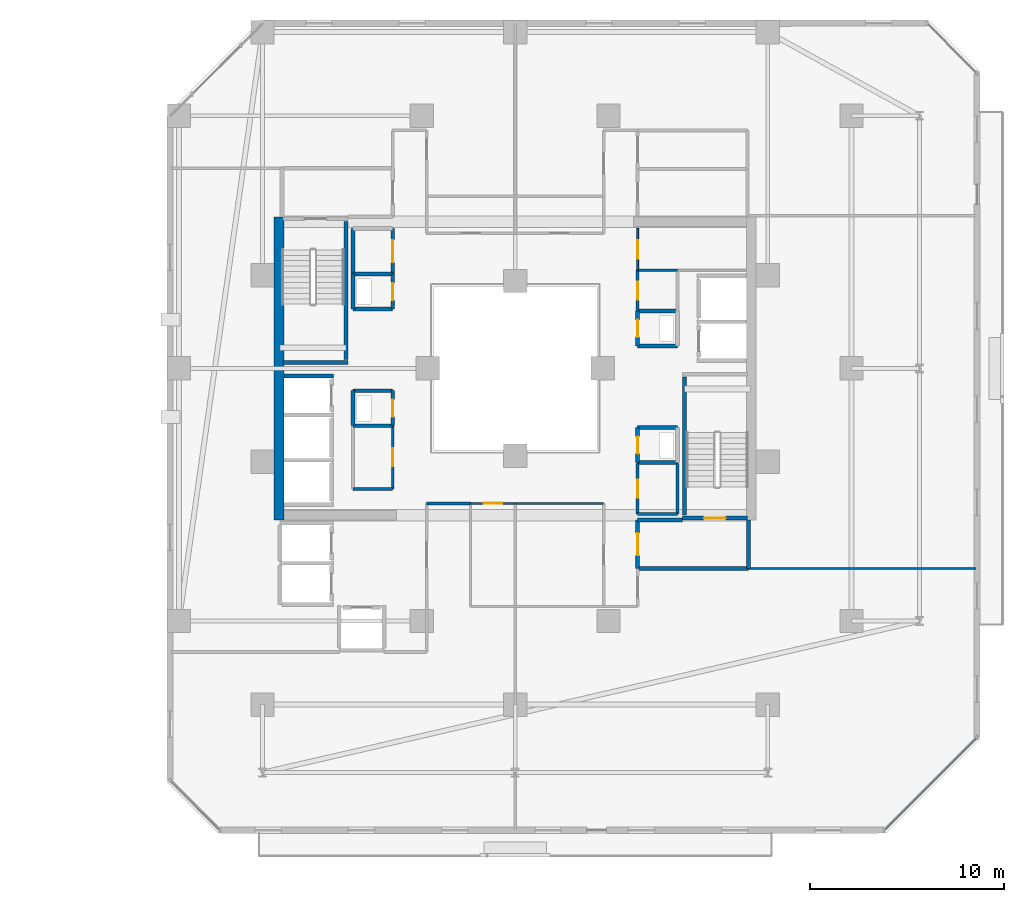
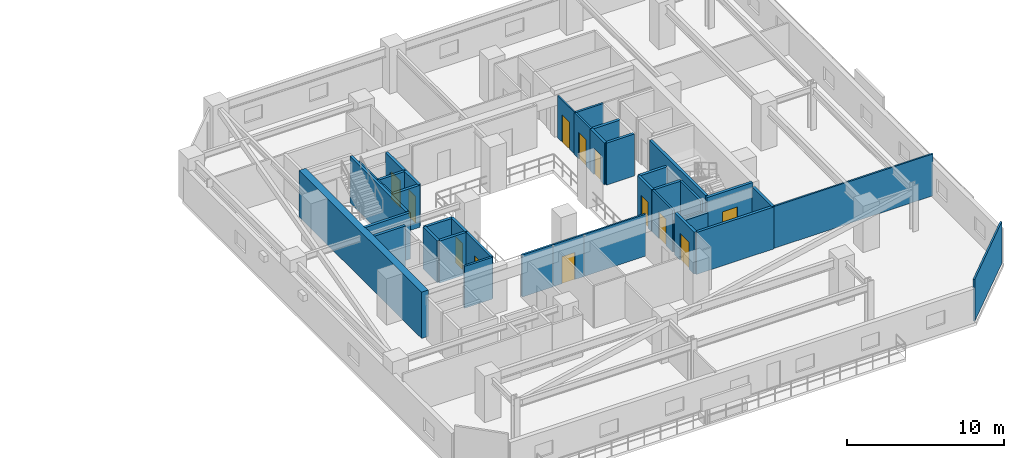
# One storey, part 23 of 34: 39 walls, 12 doors, 12 openings.
"""IFC4 building model written with IfcOpenShell, lengths in metres."""

from ifc_helpers import new_model, si_unit, direction, frame, frame_2d, origin, place, context, subcontext, project, spatial, rectangle, extrude, material, layer, layer_set, type_object, element, fill, save


model = new_model("IFC4")

# Units and contexts
model_context = context("Model", 3, precision=1e-05, world=origin(), true_north=direction((0.0, 1.0)))
body_context = subcontext(model_context, "Body", "Model", "MODEL_VIEW")
ifc_project = project(units=[si_unit("LENGTHUNIT", "METRE"), si_unit("AREAUNIT", "SQUARE_METRE"), si_unit("VOLUMEUNIT", "CUBIC_METRE"), si_unit("PLANEANGLEUNIT", "RADIAN"), si_unit("MASSUNIT", "GRAM", prefix="KILO")], contexts=[model_context])

# Site, building, storey
site_placement = place(None, origin())
site = spatial("IfcSite", under=ifc_project, at=site_placement, CompositionType="ELEMENT")
building_placement = place(site_placement, origin())
building = spatial("IfcBuilding", under=site, at=building_placement, Name="Thornwick Lancets Civic Towers", CompositionType="ELEMENT")
storey_placement = place(building_placement, frame((0.0, 0.0, 137.699951171875)))
storey = spatial("IfcBuildingStorey", under=building, at=storey_placement, Name="L36", CompositionType="ELEMENT", Elevation=137.699951171875)

# Walls
ifc_material_1 = material(Name="Concrete blockwork C40/50", Category="masonry")
ifc_layer_1 = layer(ifc_material_1, 0.199951171875, Name="Concrete blockwork C40/50")
ifc_layer_set_1 = layer_set([ifc_layer_1], Name="Concrete blockwork C40/50")
wall_type_1 = type_object("IfcWallType", Name="WALL_COMP_200", PredefinedType="STANDARD", material=ifc_layer_set_1)
wall_1_placement = place(storey_placement, frame((76.612060546875, 26.60009765625, 0.0), z_axis=(0.0, 0.0, 1.0), x_axis=(1.0, 0.0, 0.0)))
element("IfcWall", 1, at=wall_1_placement, inside=storey, type_object=wall_type_1, Name="L36 Hoistway Shaft Wall FL-B2 N", PredefinedType="STANDARD", context=body_context, shape_type="SweptSolid", body=[
    extrude(rectangle(XDim=2.535888671875, YDim=0.199951171875, at=frame_2d((1.26806640625, 0.0))), origin(), (0.0, 0.0, 1.0), 3.260009765625),
])
wall_2_placement = place(storey_placement, frame((94.800048828125, 16.699951171875, 0.0), z_axis=(0.0, 0.0, 1.0), x_axis=(1.0, 0.0, 0.0)))
element("IfcWall", 2, at=wall_2_placement, inside=storey, type_object=wall_type_1, Name="L36 Partition L36-B-FFLOB1 E1", PredefinedType="STANDARD", context=body_context, shape_type="SweptSolid", body=[
    extrude(rectangle(XDim=5.699951171875, YDim=0.199951171875, at=frame_2d((2.85009765625, 0.0))), origin(), (0.0, 0.0, 1.0), 3.260009765625),
])
wall_3_placement = place(storey_placement, frame((100.5, 16.699951171875, 0.0), z_axis=(0.0, 0.0, 1.0), x_axis=(0.0, 1.0, 0.0)))
element("IfcWall", 3, at=wall_3_placement, inside=storey, type_object=wall_type_1, Name="L36 Partition L36-B-FFLOB1 E2", PredefinedType="STANDARD", context=body_context, shape_type="SweptSolid", body=[
    extrude(rectangle(XDim=2.5, YDim=0.199951171875, at=frame_2d((1.25, 0.0))), origin(), (0.0, 0.0, 1.0), 3.260009765625),
])
wall_4_placement = place(storey_placement, frame((97.10009765625, 19.199951171875, 0.0), z_axis=(0.0, 0.0, 1.0), x_axis=(-1.0, 0.0, 0.0)))
element("IfcWall", 4, at=wall_4_placement, inside=storey, type_object=wall_type_1, Name="L36 Partition L36-B-FFLOB1 E3", PredefinedType="STANDARD", context=body_context, shape_type="SweptSolid", body=[
    extrude(rectangle(XDim=2.300048828125, YDim=0.199951171875, at=frame_2d((1.14990234375, 0.0))), origin(), (0.0, 0.0, 1.0), 2.465087890625),
])

# Wall, opening, door
wall_5_placement = place(storey_placement, frame((94.800048828125, 19.199951171875, 0.0), z_axis=(0.0, 0.0, 1.0), x_axis=(0.0, -1.0, 0.0)))
wall_5 = element("IfcWall", 5, at=wall_5_placement, inside=storey, type_object=wall_type_1, Name="L36 Partition L36-B-FFLOB1 E4", PredefinedType="STANDARD", context=body_context, shape_type="SweptSolid", body=[
    extrude(rectangle(XDim=2.5, YDim=0.199951171875, at=frame_2d((1.25, 0.0))), origin(), (0.0, 0.0, 1.0), 3.260009765625),
])
opening_1_placement = place(wall_5_placement, frame((0.675048828125, 0.0, 0.0)))
opening_1 = element("IfcOpeningElement", 6, at=opening_1_placement, cuts=wall_5, Name="Opening D-L36-1632", PredefinedType="OPENING", context=body_context, shape_type="SweptSolid", body=[
    extrude(rectangle(XDim=1.14990234375, YDim=2.10009765625, at=frame_2d((0.574951171875, 1.050048828125))), frame((0.0, 0.10986328125, 0.0), z_axis=(0.0, -1.0, 0.0), x_axis=(1.0, 0.0, 0.0)), (0.0, 0.0, 1.0), 0.219970703125),
])
ifc_material_2 = material(Name="Glazed fire-resisting steel", Category="steel")
door_type_1 = type_object("IfcDoorType", Name="DOOR_LOBBY_FD60", OperationType="NOTDEFINED", PredefinedType="DOOR", material=ifc_material_2)
door_1_placement = place(opening_1_placement, origin())
door_1 = element("IfcDoor", 7, at=door_1_placement, inside=storey, type_object=door_type_1, Name="L36 East Firefighting Lobby 1 Door", OperationType="SINGLE_SWING_LEFT", OverallHeight=2.10009765625, OverallWidth=1.14990234375, PredefinedType="DOOR", context=body_context, shape_type="SweptSolid", body=[
    extrude(rectangle(XDim=1.14990234375, YDim=2.10009765625, at=frame_2d((0.574951171875, 1.050048828125))), frame((0.0, 0.02490234375, 0.0), z_axis=(0.0, -1.0, 0.0), x_axis=(1.0, 0.0, 0.0)), (0.0, 0.0, 1.0), 0.050048828125),
])
fill(opening_1, door_1)

# Walls
for number, where, z_axis, x_axis, name in (
    (8, (94.800048828125, 28.14990234375, 0.0), (0.0, 0.0, 1.0), (1.0, 0.0, 0.0), "L36 Partition L36-B-DUCT1 E1"),
    (9, (96.85009765625, 29.949951171875, 0.0), (0.0, 0.0, 1.0), (-1.0, 0.0, 0.0), "L36 Partition L36-B-DUCT1 E3"),
):
    element("IfcWall", number, at=place(storey_placement, frame(where, z_axis=z_axis, x_axis=x_axis)), inside=storey, type_object=wall_type_1, Name=name, PredefinedType="STANDARD", context=body_context, shape_type="SweptSolid", body=[
        extrude(rectangle(XDim=2.050048828125, YDim=0.199951171875, at=frame_2d((1.02490234375, 0.0))), origin(), (0.0, 0.0, 1.0), 3.260009765625),
    ])

# Wall, opening, door
wall_6_placement = place(storey_placement, frame((94.800048828125, 29.949951171875, 0.0), z_axis=(0.0, 0.0, 1.0), x_axis=(0.0, -1.0, 0.0)))
wall_6 = element("IfcWall", 10, at=wall_6_placement, inside=storey, type_object=wall_type_1, Name="L36 Partition L36-B-DUCT1 E4", PredefinedType="STANDARD", context=body_context, shape_type="SweptSolid", body=[
    extrude(rectangle(XDim=1.800048828125, YDim=0.199951171875, at=frame_2d((0.89990234375, 0.0))), origin(), (0.0, 0.0, 1.0), 3.260009765625),
])
opening_2_placement = place(wall_6_placement, frame((0.4599609375, 0.0, 0.0)))
opening_2 = element("IfcOpeningElement", 11, at=opening_2_placement, cuts=wall_6, Name="Opening D-L36-1634", PredefinedType="OPENING", context=body_context, shape_type="SweptSolid", body=[
    extrude(rectangle(XDim=0.8798828125, YDim=2.0400390625, at=frame_2d((0.43994140625, 1.02001953125))), frame((0.0, 0.10986328125, 0.0), z_axis=(0.0, -1.0, 0.0), x_axis=(1.0, 0.0, 0.0)), (0.0, 0.0, 1.0), 0.219970703125),
])
ifc_material_3 = material(Name="Steel riser access doorset", Category="steel")
door_type_2 = type_object("IfcDoorType", Name="DOOR_RISER_850", OperationType="NOTDEFINED", PredefinedType="DOOR", material=ifc_material_3)
door_2_placement = place(opening_2_placement, origin())
door_2 = element("IfcDoor", 12, at=door_2_placement, inside=storey, type_object=door_type_2, Name="L36 East Service Duct 1 Door", OperationType="SINGLE_SWING_LEFT", OverallHeight=2.0400390625, OverallWidth=0.8798828125, PredefinedType="DOOR", context=body_context, shape_type="SweptSolid", body=[
    extrude(rectangle(XDim=0.8798828125, YDim=2.0400390625, at=frame_2d((0.43994140625, 1.02001953125))), frame((0.0, 0.02490234375, 0.0), z_axis=(0.0, -1.0, 0.0), x_axis=(1.0, 0.0, 0.0)), (0.0, 0.0, 1.0), 0.050048828125),
])
fill(opening_2, door_2)

# Walls
for number, where, z_axis, x_axis, name in (
    (13, (94.800048828125, 22.14990234375, 0.0), (0.0, 0.0, 1.0), (1.0, 0.0, 0.0), "L36 Partition L36-B-RISER1 E1"),
    (14, (96.85009765625, 23.949951171875, 0.0), (0.0, 0.0, 1.0), (-1.0, 0.0, 0.0), "L36 Partition L36-B-RISER1 E3"),
):
    element("IfcWall", number, at=place(storey_placement, frame(where, z_axis=z_axis, x_axis=x_axis)), inside=storey, type_object=wall_type_1, Name=name, PredefinedType="STANDARD", context=body_context, shape_type="SweptSolid", body=[
        extrude(rectangle(XDim=2.050048828125, YDim=0.199951171875, at=frame_2d((1.02490234375, 0.0))), origin(), (0.0, 0.0, 1.0), 3.260009765625),
    ])

# Wall, opening, door
wall_7_placement = place(storey_placement, frame((94.800048828125, 23.949951171875, 0.0), z_axis=(0.0, 0.0, 1.0), x_axis=(0.0, -1.0, 0.0)))
wall_7 = element("IfcWall", 15, at=wall_7_placement, inside=storey, type_object=wall_type_1, Name="L36 Partition L36-B-RISER1 E4", PredefinedType="STANDARD", context=body_context, shape_type="SweptSolid", body=[
    extrude(rectangle(XDim=1.800048828125, YDim=0.199951171875, at=frame_2d((0.89990234375, 0.0))), origin(), (0.0, 0.0, 1.0), 3.260009765625),
])
opening_3_placement = place(wall_7_placement, frame((0.4599609375, 0.0, 0.0)))
opening_3 = element("IfcOpeningElement", 16, at=opening_3_placement, cuts=wall_7, Name="Opening D-L36-1635", PredefinedType="OPENING", context=body_context, shape_type="SweptSolid", body=[
    extrude(rectangle(XDim=0.8798828125, YDim=2.0400390625, at=frame_2d((0.43994140625, 1.02001953125))), frame((0.0, 0.10986328125, 0.0), z_axis=(0.0, -1.0, 0.0), x_axis=(1.0, 0.0, 0.0)), (0.0, 0.0, 1.0), 0.219970703125),
])
door_3_placement = place(opening_3_placement, origin())
door_3 = element("IfcDoor", 17, at=door_3_placement, inside=storey, type_object=door_type_2, Name="L36 East Electrical Riser 1 Door", OperationType="SINGLE_SWING_RIGHT", OverallHeight=2.0400390625, OverallWidth=0.8798828125, PredefinedType="DOOR", context=body_context, shape_type="SweptSolid", body=[
    extrude(rectangle(XDim=0.8798828125, YDim=2.0400390625, at=frame_2d((0.43994140625, 1.02001953125))), frame((0.0, 0.02490234375, 0.0), z_axis=(0.0, -1.0, 0.0), x_axis=(1.0, 0.0, 0.0)), (0.0, 0.0, 1.0), 0.050048828125),
])
fill(opening_3, door_3)

# Wall
wall_8_placement = place(storey_placement, frame((80.14990234375, 24.050048828125, 0.0), z_axis=(0.0, 0.0, 1.0), x_axis=(1.0, 0.0, 0.0)))
element("IfcWall", 18, at=wall_8_placement, inside=storey, type_object=wall_type_1, Name="L36 Partition L36-B-DUCT2 E1", PredefinedType="STANDARD", context=body_context, shape_type="SweptSolid", body=[
    extrude(rectangle(XDim=2.050048828125, YDim=0.199951171875, at=frame_2d((1.02490234375, 0.0))), origin(), (0.0, 0.0, 1.0), 3.260009765625),
])

# Wall, opening, door
wall_9_placement = place(storey_placement, frame((82.199951171875, 24.050048828125, 0.0), z_axis=(0.0, 0.0, 1.0), x_axis=(0.0, 1.0, 0.0)))
wall_9 = element("IfcWall", 19, at=wall_9_placement, inside=storey, type_object=wall_type_1, Name="L36 Partition L36-B-DUCT2 E2", PredefinedType="STANDARD", context=body_context, shape_type="SweptSolid", body=[
    extrude(rectangle(XDim=1.800048828125, YDim=0.199951171875, at=frame_2d((0.89990234375, 0.0))), origin(), (0.0, 0.0, 1.0), 3.260009765625),
])
opening_4_placement = place(wall_9_placement, frame((0.4599609375, 0.0, 0.0)))
opening_4 = element("IfcOpeningElement", 20, at=opening_4_placement, cuts=wall_9, Name="Opening D-L36-1636", PredefinedType="OPENING", context=body_context, shape_type="SweptSolid", body=[
    extrude(rectangle(XDim=0.8798828125, YDim=2.0400390625, at=frame_2d((0.43994140625, 1.02001953125))), frame((0.0, 0.10986328125, 0.0), z_axis=(0.0, -1.0, 0.0), x_axis=(1.0, 0.0, 0.0)), (0.0, 0.0, 1.0), 0.219970703125),
])
door_4_placement = place(opening_4_placement, origin())
door_4 = element("IfcDoor", 21, at=door_4_placement, inside=storey, type_object=door_type_2, Name="L36 West Service Duct 2 Door", OperationType="SINGLE_SWING_LEFT", OverallHeight=2.0400390625, OverallWidth=0.8798828125, PredefinedType="DOOR", context=body_context, shape_type="SweptSolid", body=[
    extrude(rectangle(XDim=0.8798828125, YDim=2.0400390625, at=frame_2d((0.43994140625, 1.02001953125))), frame((0.0, 0.02490234375, 0.0), z_axis=(0.0, -1.0, 0.0), x_axis=(1.0, 0.0, 0.0)), (0.0, 0.0, 1.0), 0.050048828125),
])
fill(opening_4, door_4)

# Walls
wall_10_placement = place(storey_placement, frame((82.199951171875, 25.85009765625, 0.0), z_axis=(0.0, 0.0, 1.0), x_axis=(-1.0, 0.0, 0.0)))
element("IfcWall", 22, at=wall_10_placement, inside=storey, type_object=wall_type_1, Name="L36 Partition L36-B-DUCT2 E3", PredefinedType="STANDARD", context=body_context, shape_type="SweptSolid", body=[
    extrude(rectangle(XDim=2.050048828125, YDim=0.199951171875, at=frame_2d((1.02490234375, 0.0))), origin(), (0.0, 0.0, 1.0), 3.260009765625),
])
wall_11_placement = place(storey_placement, frame((80.14990234375, 25.85009765625, 0.0), z_axis=(0.0, 0.0, 1.0), x_axis=(0.0, -1.0, 0.0)))
element("IfcWall", 23, at=wall_11_placement, inside=storey, type_object=wall_type_1, Name="L36 Partition L36-B-DUCT2 E4", PredefinedType="STANDARD", context=body_context, shape_type="SweptSolid", body=[
    extrude(rectangle(XDim=1.800048828125, YDim=0.199951171875, at=frame_2d((0.89990234375, 0.0))), origin(), (0.0, 0.0, 1.0), 3.260009765625),
])
wall_12_placement = place(storey_placement, frame((80.14990234375, 30.050048828125, 0.0), z_axis=(0.0, 0.0, 1.0), x_axis=(1.0, 0.0, 0.0)))
element("IfcWall", 24, at=wall_12_placement, inside=storey, type_object=wall_type_1, Name="L36 Partition L36-B-RISER2 E1", PredefinedType="STANDARD", context=body_context, shape_type="SweptSolid", body=[
    extrude(rectangle(XDim=2.050048828125, YDim=0.199951171875, at=frame_2d((1.02490234375, 0.0))), origin(), (0.0, 0.0, 1.0), 3.260009765625),
])

# Wall, opening, door
wall_13_placement = place(storey_placement, frame((82.199951171875, 30.050048828125, 0.0), z_axis=(0.0, 0.0, 1.0), x_axis=(0.0, 1.0, 0.0)))
wall_13 = element("IfcWall", 25, at=wall_13_placement, inside=storey, type_object=wall_type_1, Name="L36 Partition L36-B-RISER2 E2", PredefinedType="STANDARD", context=body_context, shape_type="SweptSolid", body=[
    extrude(rectangle(XDim=1.800048828125, YDim=0.199951171875, at=frame_2d((0.89990234375, 0.0))), origin(), (0.0, 0.0, 1.0), 3.260009765625),
])
opening_5_placement = place(wall_13_placement, frame((0.4599609375, 0.0, 0.0)))
opening_5 = element("IfcOpeningElement", 26, at=opening_5_placement, cuts=wall_13, Name="Opening D-L36-1637", PredefinedType="OPENING", context=body_context, shape_type="SweptSolid", body=[
    extrude(rectangle(XDim=0.8798828125, YDim=2.0400390625, at=frame_2d((0.43994140625, 1.02001953125))), frame((0.0, 0.10986328125, 0.0), z_axis=(0.0, -1.0, 0.0), x_axis=(1.0, 0.0, 0.0)), (0.0, 0.0, 1.0), 0.219970703125),
])
door_5_placement = place(opening_5_placement, origin())
door_5 = element("IfcDoor", 27, at=door_5_placement, inside=storey, type_object=door_type_2, Name="L36 West Service Riser 2 Door", OperationType="SINGLE_SWING_RIGHT", OverallHeight=2.0400390625, OverallWidth=0.8798828125, PredefinedType="DOOR", context=body_context, shape_type="SweptSolid", body=[
    extrude(rectangle(XDim=0.8798828125, YDim=2.0400390625, at=frame_2d((0.43994140625, 1.02001953125))), frame((0.0, 0.02490234375, 0.0), z_axis=(0.0, -1.0, 0.0), x_axis=(1.0, 0.0, 0.0)), (0.0, 0.0, 1.0), 0.050048828125),
])
fill(opening_5, door_5)

# Walls
wall_14_placement = place(storey_placement, frame((82.199951171875, 31.85009765625, 0.0), z_axis=(0.0, 0.0, 1.0), x_axis=(-1.0, 0.0, 0.0)))
element("IfcWall", 28, at=wall_14_placement, inside=storey, type_object=wall_type_1, Name="L36 Partition L36-B-RISER2 E3", PredefinedType="STANDARD", context=body_context, shape_type="SweptSolid", body=[
    extrude(rectangle(XDim=2.050048828125, YDim=0.199951171875, at=frame_2d((1.02490234375, 0.0))), origin(), (0.0, 0.0, 1.0), 3.260009765625),
])
wall_15_placement = place(storey_placement, frame((80.14990234375, 31.85009765625, 0.0), z_axis=(0.0, 0.0, 1.0), x_axis=(0.0, -1.0, 0.0)))
element("IfcWall", 29, at=wall_15_placement, inside=storey, type_object=wall_type_1, Name="L36 Partition L36-B-RISER2 E4", PredefinedType="STANDARD", context=body_context, shape_type="SweptSolid", body=[
    extrude(rectangle(XDim=1.800048828125, YDim=0.199951171875, at=frame_2d((0.89990234375, 0.0))), origin(), (0.0, 0.0, 1.0), 3.260009765625),
])
wall_16_placement = place(storey_placement, frame((80.14990234375, 31.85009765625, 0.0), z_axis=(0.0, 0.0, 1.0), x_axis=(0.0, 1.0, 0.0)))
element("IfcWall", 30, at=wall_16_placement, inside=storey, type_object=wall_type_1, Name="L36 Partition L36-B-STR E1", PredefinedType="STANDARD", context=body_context, shape_type="SweptSolid", body=[
    extrude(rectangle(XDim=2.349853515625, YDim=0.199951171875, at=frame_2d((1.1748046875, 0.0))), origin(), (0.0, 0.0, 1.0), 3.260009765625),
])

# Wall, opening, door
wall_17_placement = place(storey_placement, frame((82.199951171875, 34.199951171875, 0.0), z_axis=(0.0, 0.0, 1.0), x_axis=(0.0, -1.0, 0.0)))
wall_17 = element("IfcWall", 31, at=wall_17_placement, inside=storey, type_object=wall_type_1, Name="L36 Partition L36-B-STR E3", PredefinedType="STANDARD", context=body_context, shape_type="SweptSolid", body=[
    extrude(rectangle(XDim=2.349853515625, YDim=0.199951171875, at=frame_2d((1.1748046875, 0.0))), origin(), (0.0, 0.0, 1.0), 3.260009765625),
])
opening_6_placement = place(wall_17_placement, frame((0.60009765625, 0.0, 0.0)))
opening_6 = element("IfcOpeningElement", 32, at=opening_6_placement, cuts=wall_17, Name="Opening D-L36-1642", PredefinedType="OPENING", context=body_context, shape_type="SweptSolid", body=[
    extrude(rectangle(XDim=1.14990234375, YDim=2.10009765625, at=frame_2d((0.574951171875, 1.050048828125))), frame((0.0, 0.10986328125, 0.0), z_axis=(0.0, -1.0, 0.0), x_axis=(1.0, 0.0, 0.0)), (0.0, 0.0, 1.0), 0.219970703125),
])
door_6_placement = place(opening_6_placement, origin())
door_6 = element("IfcDoor", 33, at=door_6_placement, inside=storey, type_object=door_type_1, Name="L36 Tower B Core Equipment Store Door", OperationType="SINGLE_SWING_LEFT", OverallHeight=2.10009765625, OverallWidth=1.14990234375, PredefinedType="DOOR", context=body_context, shape_type="SweptSolid", body=[
    extrude(rectangle(XDim=1.14990234375, YDim=2.10009765625, at=frame_2d((0.574951171875, 1.050048828125))), frame((0.0, 0.02490234375, 0.0), z_axis=(0.0, -1.0, 0.0), x_axis=(1.0, 0.0, 0.0)), (0.0, 0.0, 1.0), 0.050048828125),
])
fill(opening_6, door_6)

# Wall
ifc_material_4 = material(Name="Concrete C50/60", Category="concrete")
ifc_layer_2 = layer(ifc_material_4, 0.5, Name="Concrete C50/60")
ifc_layer_set_2 = layer_set([ifc_layer_2], Name="Concrete C50/60")
wall_type_2 = type_object("IfcWallType", Name="WALL_CORE_500", PredefinedType="SHEAR", material=ifc_layer_set_2)
wall_18_placement = place(storey_placement, frame((76.35009765625, 19.199951171875, 0.0), z_axis=(0.0, 0.0, 1.0), x_axis=(0.0, 1.0, 0.0)))
element("IfcWall", 34, at=wall_18_placement, inside=storey, type_object=wall_type_2, Name="L36 Split Core B2 Shear Wall W", PredefinedType="SHEAR", context=body_context, shape_type="SweptSolid", body=[
    extrude(rectangle(XDim=15.60009765625, YDim=0.5, at=frame_2d((7.800048828125, 0.0))), origin(), (0.0, 0.0, 1.0), 3.60009765625),
])

# Wall, opening, door
ifc_material_5 = material(Name="Lightweight cellular office partition")
ifc_layer_3 = layer(ifc_material_5, 0.10009765625, Name="Lightweight cellular office partition")
ifc_layer_set_3 = layer_set([ifc_layer_3], Name="Lightweight cellular office partition")
wall_type_3 = type_object("IfcWallType", Name="WALL_PART_100", PredefinedType="PARTITIONING", material=ifc_layer_set_3)
wall_19_placement = place(storey_placement, frame((94.800048828125, 32.050048828125, 0.0), z_axis=(0.0, 0.0, 1.0), x_axis=(0.0, 1.0, 0.0)))
wall_19 = element("IfcWall", 35, at=wall_19_placement, inside=storey, type_object=wall_type_3, Name="L36 Partition L36-B-CLN E1", PredefinedType="PARTITIONING", context=body_context, shape_type="SweptSolid", body=[
    extrude(rectangle(XDim=2.14990234375, YDim=0.10009765625, at=frame_2d((1.074951171875, 0.0))), origin(), (0.0, 0.0, 1.0), 3.260009765625),
])
opening_7_placement = place(wall_19_placement, frame((0.60009765625, 0.0, 0.0)))
opening_7 = element("IfcOpeningElement", 36, at=opening_7_placement, cuts=wall_19, Name="Opening D-L36-1640", PredefinedType="OPENING", context=body_context, shape_type="SweptSolid", body=[
    extrude(rectangle(XDim=0.949951171875, YDim=2.10009765625, at=frame_2d((0.47509765625, 1.050048828125))), frame((0.0, 0.06005859375, 0.0), z_axis=(0.0, -1.0, 0.0), x_axis=(1.0, 0.0, 0.0)), (0.0, 0.0, 1.0), 0.1201171875),
])
ifc_material_6 = material(Name="European oak acoustic doorset")
door_type_3 = type_object("IfcDoorType", Name="DOOR_OFFICE_950", OperationType="NOTDEFINED", PredefinedType="DOOR", material=ifc_material_6)
door_7_placement = place(opening_7_placement, origin())
door_7 = element("IfcDoor", 37, at=door_7_placement, inside=storey, type_object=door_type_3, Name="L36 Tower B Cleaners Store Door", OperationType="SINGLE_SWING_LEFT", OverallHeight=2.10009765625, OverallWidth=0.949951171875, PredefinedType="DOOR", context=body_context, shape_type="SweptSolid", body=[
    extrude(rectangle(XDim=0.949951171875, YDim=2.10009765625, at=frame_2d((0.47509765625, 1.050048828125))), frame((0.0, 0.02490234375, 0.0), z_axis=(0.0, -1.0, 0.0), x_axis=(1.0, 0.0, 0.0)), (0.0, 0.0, 1.0), 0.050048828125),
])
fill(opening_7, door_7)

# Walls
ifc_material_7 = material(Name="Acoustic gypsum board partition")
ifc_layer_4 = layer(ifc_material_7, 0.1201171875, Name="Acoustic gypsum board partition")
ifc_layer_set_4 = layer_set([ifc_layer_4], Name="Acoustic gypsum board partition")
wall_type_4 = type_object("IfcWallType", Name="WALL_PART_120", PredefinedType="PARTITIONING", material=ifc_layer_set_4)
wall_20_placement = place(storey_placement, frame((100.5, 16.699951171875, 0.0), z_axis=(0.0, 0.0, 1.0), x_axis=(1.0, 0.0, 0.0)))
element("IfcWall", 38, at=wall_20_placement, inside=storey, type_object=wall_type_4, Name="L36 Partition L36-B-W1 E7", PredefinedType="PARTITIONING", context=body_context, shape_type="SweptSolid", body=[
    extrude(rectangle(XDim=11.719970703125, YDim=0.1201171875, at=frame_2d((5.85986328125, 0.0))), origin(), (0.0, 0.0, 1.0), 3.260009765625),
])
wall_21_placement = place(storey_placement, frame((112.219970703125, 7.989501953125, 0.0), z_axis=(0.0, 0.0, 1.0), x_axis=(-0.707106781187, -0.707106781187, 0.0)))
element("IfcWall", 39, at=wall_21_placement, inside=storey, type_object=wall_type_4, Name="L36 Partition L36-B-W1 E9", PredefinedType="PARTITIONING", context=body_context, shape_type="SweptSolid", body=[
    extrude(rectangle(XDim=6.66015625, YDim=0.1201171875, at=frame_2d((3.330078125, 0.0))), origin(), (0.0, 0.0, 1.0), 3.260009765625),
])
wall_22_placement = place(storey_placement, frame((88.5, 20.050048828125, 0.0), z_axis=(0.0, 0.0, 1.0), x_axis=(1.0, 0.0, 0.0)))
element("IfcWall", 40, at=wall_22_placement, inside=storey, type_object=wall_type_4, Name="L36 Partition L36-B-W2 E2", PredefinedType="PARTITIONING", context=body_context, shape_type="SweptSolid", body=[
    extrude(rectangle(XDim=4.550048828125, YDim=0.1201171875, at=frame_2d((2.27490234375, 0.0))), origin(), (0.0, 0.0, 1.0), 3.260009765625),
])

# Wall, opening, door
wall_23_placement = place(storey_placement, frame((86.199951171875, 20.050048828125, 0.0), z_axis=(0.0, 0.0, 1.0), x_axis=(1.0, 0.0, 0.0)))
wall_23 = element("IfcWall", 41, at=wall_23_placement, inside=storey, type_object=wall_type_4, Name="L36 Partition L36-B-W3 E2", PredefinedType="PARTITIONING", context=body_context, shape_type="SweptSolid", body=[
    extrude(rectangle(XDim=2.300048828125, YDim=0.1201171875, at=frame_2d((1.14990234375, 0.0))), origin(), (0.0, 0.0, 1.0), 3.260009765625),
])
opening_8_placement = place(wall_23_placement, frame((0.675048828125, 0.0, 0.0)))
opening_8 = element("IfcOpeningElement", 42, at=opening_8_placement, cuts=wall_23, Name="Opening D-L36-1657", PredefinedType="OPENING", context=body_context, shape_type="SweptSolid", body=[
    extrude(rectangle(XDim=0.949951171875, YDim=2.10009765625, at=frame_2d((0.47509765625, 1.050048828125))), frame((0.0, 0.070068359375, 0.0), z_axis=(0.0, -1.0, 0.0), x_axis=(1.0, 0.0, 0.0)), (0.0, 0.0, 1.0), 0.14013671875),
])
door_8_placement = place(opening_8_placement, origin())
door_8 = element("IfcDoor", 43, at=door_8_placement, inside=storey, type_object=door_type_3, Name="L36 Tower B Staff Tea Pantry and Lounge Door", OperationType="SINGLE_SWING_RIGHT", OverallHeight=2.10009765625, OverallWidth=0.949951171875, PredefinedType="DOOR", context=body_context, shape_type="SweptSolid", body=[
    extrude(rectangle(XDim=0.949951171875, YDim=2.10009765625, at=frame_2d((0.47509765625, 1.050048828125))), frame((0.0, 0.02490234375, 0.0), z_axis=(0.0, -1.0, 0.0), x_axis=(1.0, 0.0, 0.0)), (0.0, 0.0, 1.0), 0.050048828125),
])
fill(opening_8, door_8)

# Walls
ifc_material_8 = material(Name="Twin-stud acoustic gypsum board")
ifc_layer_5 = layer(ifc_material_8, 0.14990234375, Name="Twin-stud acoustic gypsum board")
ifc_layer_set_5 = layer_set([ifc_layer_5], Name="Twin-stud acoustic gypsum board")
wall_type_5 = type_object("IfcWallType", Name="WALL_PART_150", PredefinedType="PARTITIONING", material=ifc_layer_set_5)
wall_24_placement = place(storey_placement, frame((94.800048828125, 19.5, 0.0), z_axis=(0.0, 0.0, 1.0), x_axis=(1.0, 0.0, 0.0)))
element("IfcWall", 44, at=wall_24_placement, inside=storey, type_object=wall_type_5, Name="L36 Partition L36-B-AWC E1", PredefinedType="PARTITIONING", context=body_context, shape_type="SweptSolid", body=[
    extrude(rectangle(XDim=2.050048828125, YDim=0.14990234375, at=frame_2d((1.02490234375, 0.0))), origin(), (0.0, 0.0, 1.0), 2.465087890625),
])
wall_25_placement = place(storey_placement, frame((96.85009765625, 19.5, 0.0), z_axis=(0.0, 0.0, 1.0), x_axis=(0.0, 1.0, 0.0)))
element("IfcWall", 45, at=wall_25_placement, inside=storey, type_object=wall_type_5, Name="L36 Partition L36-B-AWC E2", PredefinedType="PARTITIONING", context=body_context, shape_type="SweptSolid", body=[
    extrude(rectangle(XDim=2.60009765625, YDim=0.14990234375, at=frame_2d((1.300048828125, 0.0))), origin(), (0.0, 0.0, 1.0), 3.260009765625),
])

# Wall, opening, door
wall_26_placement = place(storey_placement, frame((94.800048828125, 22.10009765625, 0.0), z_axis=(0.0, 0.0, 1.0), x_axis=(0.0, -1.0, 0.0)))
wall_26 = element("IfcWall", 46, at=wall_26_placement, inside=storey, type_object=wall_type_5, Name="L36 Partition L36-B-AWC E4", PredefinedType="PARTITIONING", context=body_context, shape_type="SweptSolid", body=[
    extrude(rectangle(XDim=2.60009765625, YDim=0.14990234375, at=frame_2d((1.300048828125, 0.0))), origin(), (0.0, 0.0, 1.0), 3.260009765625),
])
opening_9_placement = place(wall_26_placement, frame((0.840087890625, 0.0, 0.0)))
opening_9 = element("IfcOpeningElement", 47, at=opening_9_placement, cuts=wall_26, Name="Opening D-L36-1638", PredefinedType="OPENING", context=body_context, shape_type="SweptSolid", body=[
    extrude(rectangle(XDim=0.919921875, YDim=2.080078125, at=frame_2d((0.4599609375, 1.0400390625))), frame((0.0, 0.0849609375, 0.0), z_axis=(0.0, -1.0, 0.0), x_axis=(1.0, 0.0, 0.0)), (0.0, 0.0, 1.0), 0.169921875),
])
ifc_material_9 = material(Name="Moisture-resistant oak doorset")
door_type_4 = type_object("IfcDoorType", Name="DOOR_WC_900", OperationType="NOTDEFINED", PredefinedType="DOOR", material=ifc_material_9)
door_9_placement = place(opening_9_placement, origin())
door_9 = element("IfcDoor", 48, at=door_9_placement, inside=storey, type_object=door_type_4, Name="L36 Tower B Accessible WC Door", OperationType="SINGLE_SWING_LEFT", OverallHeight=2.080078125, OverallWidth=0.919921875, PredefinedType="DOOR", context=body_context, shape_type="SweptSolid", body=[
    extrude(rectangle(XDim=0.919921875, YDim=2.080078125, at=frame_2d((0.4599609375, 1.0400390625))), frame((0.0, 0.02490234375, 0.0), z_axis=(0.0, -1.0, 0.0), x_axis=(1.0, 0.0, 0.0)), (0.0, 0.0, 1.0), 0.050048828125),
])
fill(opening_9, door_9)

wall_27_placement = place(storey_placement, frame((94.800048828125, 29.949951171875, 0.0), z_axis=(0.0, 0.0, 1.0), x_axis=(0.0, 1.0, 0.0)))
wall_27 = element("IfcWall", 49, at=wall_27_placement, inside=storey, type_object=wall_type_5, Name="L36 Partition L36-B-MWC E1", PredefinedType="PARTITIONING", context=body_context, shape_type="SweptSolid", body=[
    extrude(rectangle(XDim=2.10009765625, YDim=0.14990234375, at=frame_2d((1.050048828125, 0.0))), origin(), (0.0, 0.0, 1.0), 3.260009765625),
])
opening_10_placement = place(wall_27_placement, frame((0.590087890625, 0.0, 0.0)))
opening_10 = element("IfcOpeningElement", 50, at=opening_10_placement, cuts=wall_27, Name="Opening D-L36-1639", PredefinedType="OPENING", context=body_context, shape_type="SweptSolid", body=[
    extrude(rectangle(XDim=0.919921875, YDim=2.080078125, at=frame_2d((0.4599609375, 1.0400390625))), frame((0.0, 0.0849609375, 0.0), z_axis=(0.0, -1.0, 0.0), x_axis=(1.0, 0.0, 0.0)), (0.0, 0.0, 1.0), 0.169921875),
])
door_10_placement = place(opening_10_placement, origin())
door_10 = element("IfcDoor", 51, at=door_10_placement, inside=storey, type_object=door_type_4, Name="L36 Tower B Male WC Door", OperationType="SINGLE_SWING_RIGHT", OverallHeight=2.080078125, OverallWidth=0.919921875, PredefinedType="DOOR", context=body_context, shape_type="SweptSolid", body=[
    extrude(rectangle(XDim=0.919921875, YDim=2.080078125, at=frame_2d((0.4599609375, 1.0400390625))), frame((0.0, 0.02490234375, 0.0), z_axis=(0.0, -1.0, 0.0), x_axis=(1.0, 0.0, 0.0)), (0.0, 0.0, 1.0), 0.050048828125),
])
fill(opening_10, door_10)

# Walls
for number, where, z_axis, x_axis, name in (
    (52, (94.800048828125, 32.050048828125, 0.0), (0.0, 0.0, 1.0), (1.0, 0.0, 0.0), "L36 Partition L36-B-MWC E2"),
    (53, (82.199951171875, 20.800048828125, 0.0), (0.0, 0.0, 1.0), (-1.0, 0.0, 0.0), "L36 Partition L36-B-FWC E1"),
):
    element("IfcWall", number, at=place(storey_placement, frame(where, z_axis=z_axis, x_axis=x_axis)), inside=storey, type_object=wall_type_5, Name=name, PredefinedType="PARTITIONING", context=body_context, shape_type="SweptSolid", body=[
        extrude(rectangle(XDim=2.050048828125, YDim=0.14990234375, at=frame_2d((1.02490234375, 0.0))), origin(), (0.0, 0.0, 1.0), 3.260009765625),
    ])

# Wall, opening, door
wall_28_placement = place(storey_placement, frame((82.199951171875, 24.050048828125, 0.0), z_axis=(0.0, 0.0, 1.0), x_axis=(0.0, -1.0, 0.0)))
wall_28 = element("IfcWall", 54, at=wall_28_placement, inside=storey, type_object=wall_type_5, Name="L36 Partition L36-B-FWC E4", PredefinedType="PARTITIONING", context=body_context, shape_type="SweptSolid", body=[
    extrude(rectangle(XDim=3.25, YDim=0.14990234375, at=frame_2d((1.625, 0.0))), origin(), (0.0, 0.0, 1.0), 3.260009765625),
])
opening_11_placement = place(wall_28_placement, frame((1.1650390625, 0.0, 0.0)))
opening_11 = element("IfcOpeningElement", 55, at=opening_11_placement, cuts=wall_28, Name="Opening D-L36-1641", PredefinedType="OPENING", context=body_context, shape_type="SweptSolid", body=[
    extrude(rectangle(XDim=0.919921875, YDim=2.080078125, at=frame_2d((0.4599609375, 1.0400390625))), frame((0.0, 0.0849609375, 0.0), z_axis=(0.0, -1.0, 0.0), x_axis=(1.0, 0.0, 0.0)), (0.0, 0.0, 1.0), 0.169921875),
])
door_11_placement = place(opening_11_placement, origin())
door_11 = element("IfcDoor", 56, at=door_11_placement, inside=storey, type_object=door_type_4, Name="L36 Tower B Female WC Door", OperationType="SINGLE_SWING_RIGHT", OverallHeight=2.080078125, OverallWidth=0.919921875, PredefinedType="DOOR", context=body_context, shape_type="SweptSolid", body=[
    extrude(rectangle(XDim=0.919921875, YDim=2.080078125, at=frame_2d((0.4599609375, 1.0400390625))), frame((0.0, 0.02490234375, 0.0), z_axis=(0.0, -1.0, 0.0), x_axis=(1.0, 0.0, 0.0)), (0.0, 0.0, 1.0), 0.050048828125),
])
fill(opening_11, door_11)

# Wall
wall_29_placement = place(storey_placement, frame((83.949951171875, 20.050048828125, 0.0), z_axis=(0.0, 0.0, 1.0), x_axis=(1.0, 0.0, 0.0)))
element("IfcWall", 57, at=wall_29_placement, inside=storey, type_object=wall_type_5, Name="L36 Partition L36-B-W4 E2", PredefinedType="PARTITIONING", context=body_context, shape_type="SweptSolid", body=[
    extrude(rectangle(XDim=2.25, YDim=0.14990234375, at=frame_2d((1.125, 0.0))), origin(), (0.0, 0.0, 1.0), 3.260009765625),
])

# Wall, opening, door
ifc_material_10 = material(Name="Concrete C40/50", Category="concrete")
ifc_layer_6 = layer(ifc_material_10, 0.199951171875, Name="Concrete C40/50")
ifc_layer_set_6 = layer_set([ifc_layer_6], Name="Concrete C40/50")
wall_type_6 = type_object("IfcWallType", Name="WALL_SHAFT_200", PredefinedType="SHEAR", material=ifc_layer_set_6)
wall_30_placement = place(storey_placement, frame((100.449951171875, 19.300048828125, 0.0), z_axis=(0.0, 0.0, 1.0), x_axis=(-1.0, 0.0, 0.0)))
wall_30 = element("IfcWall", 58, at=wall_30_placement, inside=storey, type_object=wall_type_6, Name="L36 ST-B1 Fire Stair Core Wall NEAR", PredefinedType="SHEAR", context=body_context, shape_type="SweptSolid", body=[
    extrude(rectangle(XDim=3.349853515625, YDim=0.199951171875, at=frame_2d((1.6748046875, 0.0))), origin(), (0.0, 0.0, 1.0), 3.60009765625),
])
opening_12_placement = place(wall_30_placement, frame((1.125, 0.0, 0.0)))
opening_12 = element("IfcOpeningElement", 59, at=opening_12_placement, cuts=wall_30, Name="Opening D-ST-B1-L36", PredefinedType="OPENING", context=body_context, shape_type="SweptSolid", body=[
    extrude(rectangle(XDim=1.10009765625, YDim=2.10009765625, at=frame_2d((0.550048828125, 1.050048828125))), frame((0.0, 0.10986328125, 0.0), z_axis=(0.0, -1.0, 0.0), x_axis=(1.0, 0.0, 0.0)), (0.0, 0.0, 1.0), 0.219970703125),
])
ifc_material_11 = material(Name="Fire-resisting steel and hardwood", Category="steel")
door_type_5 = type_object("IfcDoorType", Name="DOOR_STAIR_FD60", OperationType="NOTDEFINED", PredefinedType="DOOR", material=ifc_material_11)
door_12_placement = place(opening_12_placement, origin())
door_12 = element("IfcDoor", 60, at=door_12_placement, inside=storey, type_object=door_type_5, Name="L36 ST-B1 Exit Stair Door", OperationType="SINGLE_SWING_RIGHT", OverallHeight=2.10009765625, OverallWidth=1.10009765625, PredefinedType="DOOR", context=body_context, shape_type="SweptSolid", body=[
    extrude(rectangle(XDim=1.10009765625, YDim=2.10009765625, at=frame_2d((0.550048828125, 1.050048828125))), frame((0.0, 0.02490234375, 0.0), z_axis=(0.0, -1.0, 0.0), x_axis=(1.0, 0.0, 0.0)), (0.0, 0.0, 1.0), 0.050048828125),
])
fill(opening_12, door_12)

# Walls
wall_31_placement = place(storey_placement, frame((97.202880859375, 26.550048828125, 0.0), z_axis=(0.0, 0.0, 1.0), x_axis=(0.0, -1.0, 0.0)))
element("IfcWall", 61, at=wall_31_placement, inside=storey, type_object=wall_type_6, Name="L36 ST-B1 Fire Stair Core Wall RIGHT", PredefinedType="SHEAR", context=body_context, shape_type="SweptSolid", body=[
    extrude(rectangle(XDim=7.10009765625, YDim=0.199951171875, at=frame_2d((3.550048828125, 0.0))), origin(), (0.0, 0.0, 1.0), 3.60009765625),
])
wall_32_placement = place(storey_placement, frame((79.89990234375, 27.300048828125, 0.0), z_axis=(0.0, 0.0, 1.0), x_axis=(-1.0, 0.0, 0.0)))
element("IfcWall", 62, at=wall_32_placement, inside=storey, type_object=wall_type_6, Name="L36 ST-B2 Fire Stair Core Wall FAR", PredefinedType="SHEAR", context=body_context, shape_type="SweptSolid", body=[
    extrude(rectangle(XDim=3.349853515625, YDim=0.199951171875, at=frame_2d((1.6748046875, 0.0))), origin(), (0.0, 0.0, 1.0), 3.60009765625),
])
wall_33_placement = place(storey_placement, frame((79.797119140625, 27.449951171875, 0.0), z_axis=(0.0, 0.0, 1.0), x_axis=(0.0, 1.0, 0.0)))
element("IfcWall", 63, at=wall_33_placement, inside=storey, type_object=wall_type_6, Name="L36 ST-B2 Fire Stair Core Wall RIGHT", PredefinedType="SHEAR", context=body_context, shape_type="SweptSolid", body=[
    extrude(rectangle(XDim=7.10009765625, YDim=0.199951171875, at=frame_2d((3.550048828125, 0.0))), origin(), (0.0, 0.0, 1.0), 3.60009765625),
])

save(model, "model.ifc")
